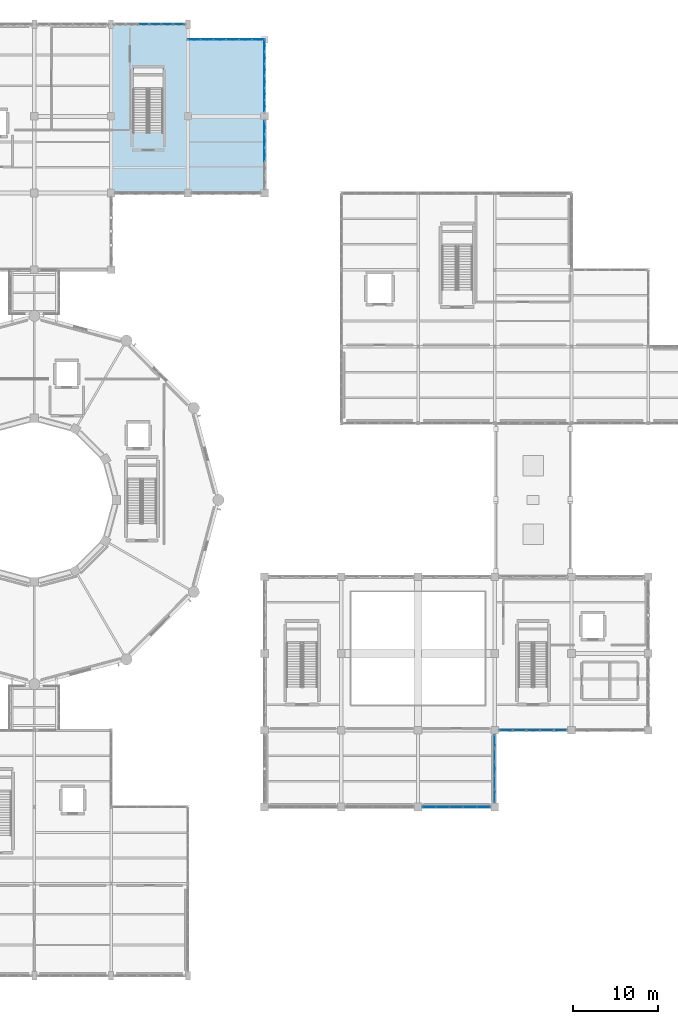
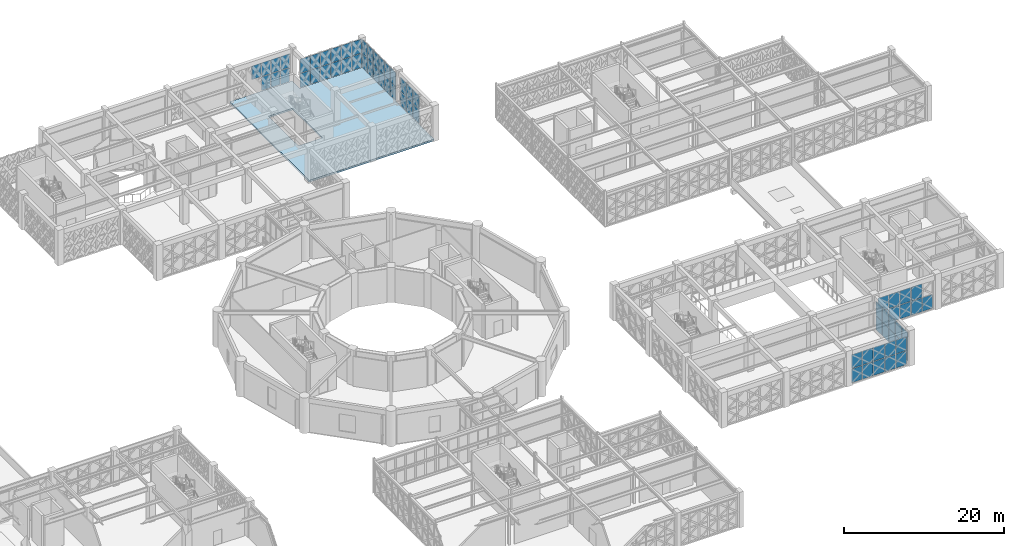
# One storey, part 127 of 155: 66 plates, 1 slab, 7 elements without a shape of their own.
"""IFC4 building model written with IfcOpenShell, lengths in metres."""

from ifc_helpers import new_model, si_unit, direction, frame, origin, origin_2d, place, context, subcontext, project, spatial, polyline, rectangle, outline, extrude, material, layer, layer_set, type_object, element, aggregate, save


model = new_model("IFC4")

# Units and contexts
model_context = context("Model", 3, precision=1e-05, world=origin(), true_north=direction((0.0, 1.0)))
body_context = subcontext(model_context, "Body", "Model", "MODEL_VIEW")
ifc_project = project(units=[si_unit("LENGTHUNIT", "METRE"), si_unit("AREAUNIT", "SQUARE_METRE"), si_unit("VOLUMEUNIT", "CUBIC_METRE"), si_unit("PLANEANGLEUNIT", "RADIAN"), si_unit("MASSUNIT", "GRAM", prefix="KILO")], contexts=[model_context])

# Site, building, storey
site_placement = place(None, origin())
site = spatial("IfcSite", under=ifc_project, at=site_placement, CompositionType="ELEMENT")
building_placement = place(site_placement, origin())
building = spatial("IfcBuilding", under=site, at=building_placement, Name="Haizhuo Lancet Aquarium", CompositionType="ELEMENT")
storey_placement = place(building_placement, frame((0.0, 0.0, 10.800048828125)))
storey = spatial("IfcBuildingStorey", under=building, at=storey_placement, Name="L02", CompositionType="ELEMENT", Elevation=10.800048828125)

# Curtain wall, plates
ifc_material_1 = material(Name="Aluminium 6063-T6", Category="aluminium")
curtain_wall_type_1 = type_object("IfcCurtainWallType", Name="CWO-8010x4410", PredefinedType="NOTDEFINED", material=ifc_material_1)
curtain_wall_1_placement = place(storey_placement, origin())
curtain_wall_1 = element("IfcCurtainWall", 1, at=curtain_wall_1_placement, inside=storey, type_object=curtain_wall_type_1, Name="L02 curtain wall CW-V3-L02-061", PredefinedType="NOTDEFINED")
ifc_material_2 = material(Name="Laminated Low-E Glass", Category="glass")
ifc_layer_1 = layer(ifc_material_2, 0.028076171875)
ifc_layer_set_1 = layer_set([ifc_layer_1], Name="Laminated Low-E Glass")
plate_type_1 = type_object("IfcPlateType", Name="CW-PNL-1", PredefinedType="CURTAIN_PANEL", material=ifc_layer_set_1)
plate_1_placement = place(storey_placement, frame((52.68798828125, -36.0, 0.0654296875), z_axis=(0.0, 0.0, 1.0), x_axis=(-1.0, 0.0, 0.0)))
plate_1 = element("IfcPlate", 2, at=plate_1_placement, type_object=plate_type_1, Name="CWO-80x44 panel 1.1", PredefinedType="CURTAIN_PANEL", context=body_context, shape_type="SweptSolid", body=[
    extrude(rectangle(XDim=1.5048828125, YDim=0.028076171875, at=origin_2d()), origin(), (0.0, 0.0, 1.0), 2.10693359375),
])
plate_2_placement = place(storey_placement, frame((52.68798828125, -36.0, 2.237548828125), z_axis=(0.0, 0.0, 1.0), x_axis=(-1.0, 0.0, 0.0)))
plate_2 = element("IfcPlate", 3, at=plate_2_placement, type_object=plate_type_1, Name="CWO-80x44 panel 1.2", PredefinedType="CURTAIN_PANEL", context=body_context, shape_type="SweptSolid", body=[
    extrude(rectangle(XDim=1.5048828125, YDim=0.028076171875, at=origin_2d()), origin(), (0.0, 0.0, 1.0), 2.10693359375),
])
plate_3_placement = place(storey_placement, frame((51.10205078125, -36.0, 0.0654296875), z_axis=(0.0, 0.0, 1.0), x_axis=(-1.0, 0.0, 0.0)))
plate_3 = element("IfcPlate", 4, at=plate_3_placement, type_object=plate_type_1, Name="CWO-80x44 panel 2.1", PredefinedType="CURTAIN_PANEL", context=body_context, shape_type="SweptSolid", body=[
    extrude(rectangle(XDim=1.537109375, YDim=0.028076171875, at=origin_2d()), origin(), (0.0, 0.0, 1.0), 2.10693359375),
])
plate_4_placement = place(storey_placement, frame((51.10205078125, -36.0, 2.237548828125), z_axis=(0.0, 0.0, 1.0), x_axis=(-1.0, 0.0, 0.0)))
plate_4 = element("IfcPlate", 5, at=plate_4_placement, type_object=plate_type_1, Name="CWO-80x44 panel 2.2", PredefinedType="CURTAIN_PANEL", context=body_context, shape_type="SweptSolid", body=[
    extrude(rectangle(XDim=1.537109375, YDim=0.028076171875, at=origin_2d()), origin(), (0.0, 0.0, 1.0), 2.10693359375),
])
plate_5_placement = place(storey_placement, frame((49.5, -36.0, 0.0654296875), z_axis=(0.0, 0.0, 1.0), x_axis=(-1.0, 0.0, 0.0)))
plate_5 = element("IfcPlate", 6, at=plate_5_placement, type_object=plate_type_1, Name="CWO-80x44 panel 3.1", PredefinedType="CURTAIN_PANEL", context=body_context, shape_type="SweptSolid", body=[
    extrude(rectangle(XDim=1.537109375, YDim=0.028076171875, at=origin_2d()), origin(), (0.0, 0.0, 1.0), 2.10693359375),
])
plate_6_placement = place(storey_placement, frame((49.5, -36.0, 2.237548828125), z_axis=(0.0, 0.0, 1.0), x_axis=(-1.0, 0.0, 0.0)))
plate_6 = element("IfcPlate", 7, at=plate_6_placement, type_object=plate_type_1, Name="CWO-80x44 panel 3.2", PredefinedType="CURTAIN_PANEL", context=body_context, shape_type="SweptSolid", body=[
    extrude(rectangle(XDim=1.537109375, YDim=0.028076171875, at=origin_2d()), origin(), (0.0, 0.0, 1.0), 2.10693359375),
])
plate_7_placement = place(storey_placement, frame((47.89794921875, -36.0, 0.0654296875), z_axis=(0.0, 0.0, 1.0), x_axis=(-1.0, 0.0, 0.0)))
plate_7 = element("IfcPlate", 8, at=plate_7_placement, type_object=plate_type_1, Name="CWO-80x44 panel 4.1", PredefinedType="CURTAIN_PANEL", context=body_context, shape_type="SweptSolid", body=[
    extrude(rectangle(XDim=1.537109375, YDim=0.028076171875, at=origin_2d()), origin(), (0.0, 0.0, 1.0), 2.10693359375),
])
plate_8_placement = place(storey_placement, frame((47.89794921875, -36.0, 2.237548828125), z_axis=(0.0, 0.0, 1.0), x_axis=(-1.0, 0.0, 0.0)))
plate_8 = element("IfcPlate", 9, at=plate_8_placement, type_object=plate_type_1, Name="CWO-80x44 panel 4.2", PredefinedType="CURTAIN_PANEL", context=body_context, shape_type="SweptSolid", body=[
    extrude(rectangle(XDim=1.537109375, YDim=0.028076171875, at=origin_2d()), origin(), (0.0, 0.0, 1.0), 2.10693359375),
])
plate_9_placement = place(storey_placement, frame((46.31201171875, -36.0, 0.0654296875), z_axis=(0.0, 0.0, 1.0), x_axis=(-1.0, 0.0, 0.0)))
plate_9 = element("IfcPlate", 10, at=plate_9_placement, type_object=plate_type_1, Name="CWO-80x44 panel 5.1", PredefinedType="CURTAIN_PANEL", context=body_context, shape_type="SweptSolid", body=[
    extrude(rectangle(XDim=1.5048828125, YDim=0.028076171875, at=origin_2d()), origin(), (0.0, 0.0, 1.0), 2.10693359375),
])
plate_10_placement = place(storey_placement, frame((46.31201171875, -36.0, 2.237548828125), z_axis=(0.0, 0.0, 1.0), x_axis=(-1.0, 0.0, 0.0)))
plate_10 = element("IfcPlate", 11, at=plate_10_placement, type_object=plate_type_1, Name="CWO-80x44 panel 5.2", PredefinedType="CURTAIN_PANEL", context=body_context, shape_type="SweptSolid", body=[
    extrude(rectangle(XDim=1.5048828125, YDim=0.028076171875, at=origin_2d()), origin(), (0.0, 0.0, 1.0), 2.10693359375),
])
aggregate(curtain_wall_1, [plate_1, plate_2, plate_3, plate_4, plate_5, plate_6, plate_7, plate_8, plate_9, plate_10])

curtain_wall_type_2 = type_object("IfcCurtainWallType", Name="CWD-8010x4460", PredefinedType="NOTDEFINED", material=ifc_material_1)
curtain_wall_2_placement = place(storey_placement, origin())
curtain_wall_2 = element("IfcCurtainWall", 12, at=curtain_wall_2_placement, inside=storey, type_object=curtain_wall_type_2, Name="L02 curtain wall CW-V5-L02-153", PredefinedType="NOTDEFINED")
plate_11_placement = place(storey_placement, frame((27.0, 43.68408203125, 0.080078125), z_axis=(0.0, 0.0, 1.0), x_axis=(0.0, -1.0, 0.0)))
plate_11 = element("IfcPlate", 13, at=plate_11_placement, type_object=plate_type_1, Name="CWD-80x44 panel 1.1", PredefinedType="CURTAIN_PANEL", context=body_context, shape_type="SweptSolid", body=[
    extrude(rectangle(XDim=1.48193359375, YDim=0.028076171875, at=origin_2d()), origin(), (0.0, 0.0, 1.0), 2.110107421875),
])
plate_12_placement = place(storey_placement, frame((27.0, 43.68408203125, 2.27001953125), z_axis=(0.0, 0.0, 1.0), x_axis=(0.0, -1.0, 0.0)))
plate_12 = element("IfcPlate", 14, at=plate_12_placement, type_object=plate_type_1, Name="CWD-80x44 panel 1.2", PredefinedType="CURTAIN_PANEL", context=body_context, shape_type="SweptSolid", body=[
    extrude(rectangle(XDim=1.48193359375, YDim=0.028076171875, at=origin_2d()), origin(), (0.0, 0.0, 1.0), 2.110107421875),
])
plate_13_placement = place(storey_placement, frame((27.0, 42.10205078125, 0.080078125), z_axis=(0.0, 0.0, 1.0), x_axis=(0.0, -1.0, 0.0)))
plate_13 = element("IfcPlate", 15, at=plate_13_placement, type_object=plate_type_1, Name="CWD-80x44 panel 2.1", PredefinedType="CURTAIN_PANEL", context=body_context, shape_type="SweptSolid", body=[
    extrude(rectangle(XDim=1.52197265625, YDim=0.028076171875, at=origin_2d()), origin(), (0.0, 0.0, 1.0), 2.110107421875),
])
plate_14_placement = place(storey_placement, frame((27.0, 42.10205078125, 2.27001953125), z_axis=(0.0, 0.0, 1.0), x_axis=(0.0, -1.0, 0.0)))
plate_14 = element("IfcPlate", 16, at=plate_14_placement, type_object=plate_type_1, Name="CWD-80x44 panel 2.2", PredefinedType="CURTAIN_PANEL", context=body_context, shape_type="SweptSolid", body=[
    extrude(rectangle(XDim=1.52197265625, YDim=0.028076171875, at=origin_2d()), origin(), (0.0, 0.0, 1.0), 2.110107421875),
])
plate_15_placement = place(storey_placement, frame((27.0, 40.5, 0.080078125), z_axis=(0.0, 0.0, 1.0), x_axis=(0.0, -1.0, 0.0)))
plate_15 = element("IfcPlate", 17, at=plate_15_placement, type_object=plate_type_1, Name="CWD-80x44 panel 3.1", PredefinedType="CURTAIN_PANEL", context=body_context, shape_type="SweptSolid", body=[
    extrude(rectangle(XDim=1.52197265625, YDim=0.028076171875, at=origin_2d()), origin(), (0.0, 0.0, 1.0), 2.110107421875),
])
plate_16_placement = place(storey_placement, frame((27.0, 40.5, 2.27001953125), z_axis=(0.0, 0.0, 1.0), x_axis=(0.0, -1.0, 0.0)))
plate_16 = element("IfcPlate", 18, at=plate_16_placement, type_object=plate_type_1, Name="CWD-80x44 panel 3.2", PredefinedType="CURTAIN_PANEL", context=body_context, shape_type="SweptSolid", body=[
    extrude(rectangle(XDim=1.52197265625, YDim=0.028076171875, at=origin_2d()), origin(), (0.0, 0.0, 1.0), 2.110107421875),
])
aggregate(curtain_wall_2, [plate_11, plate_12, plate_13, plate_14, plate_15, plate_16])

curtain_wall_type_3 = type_object("IfcCurtainWallType", Name="CWD-8310x4410", PredefinedType="NOTDEFINED", material=ifc_material_1)
curtain_wall_3_placement = place(storey_placement, origin())
curtain_wall_3 = element("IfcCurtainWall", 19, at=curtain_wall_3_placement, inside=storey, type_object=curtain_wall_type_3, Name="L02 curtain wall CW-V5-L02-150", PredefinedType="NOTDEFINED")
ifc_layer_2 = layer(ifc_material_2, 0.033935546875)
ifc_layer_set_2 = layer_set([ifc_layer_2], Name="Laminated Low-E Glass")
plate_type_2 = type_object("IfcPlateType", Name="CW-PNL-2", PredefinedType="CURTAIN_PANEL", material=ifc_layer_set_2)
plate_17_placement = place(storey_placement, frame((12.80810546875, 55.800048828125, 2.245361328125), z_axis=(0.0, 0.0, 1.0), x_axis=(1.0, 0.0, 0.0)))
plate_17 = element("IfcPlate", 20, at=plate_17_placement, type_object=plate_type_2, Name="CWD-83x44 panel 3.2", PredefinedType="CURTAIN_PANEL", context=body_context, shape_type="SweptSolid", body=[
    extrude(rectangle(XDim=1.304931640625, YDim=0.033935546875, at=origin_2d()), origin(), (0.0, 0.0, 1.0), 2.0849609375),
])
plate_18_placement = place(storey_placement, frame((14.193115234375, 55.800048828125, 0.07958984375), z_axis=(0.0, 0.0, 1.0), x_axis=(1.0, 0.0, 0.0)))
plate_18 = element("IfcPlate", 21, at=plate_18_placement, type_object=plate_type_2, Name="CWD-83x44 panel 4.1", PredefinedType="CURTAIN_PANEL", context=body_context, shape_type="SweptSolid", body=[
    extrude(rectangle(XDim=1.304931640625, YDim=0.033935546875, at=origin_2d()), origin(), (0.0, 0.0, 1.0), 2.0849609375),
])
plate_19_placement = place(storey_placement, frame((14.193115234375, 55.800048828125, 2.245361328125), z_axis=(0.0, 0.0, 1.0), x_axis=(1.0, 0.0, 0.0)))
plate_19 = element("IfcPlate", 22, at=plate_19_placement, type_object=plate_type_2, Name="CWD-83x44 panel 4.2", PredefinedType="CURTAIN_PANEL", context=body_context, shape_type="SweptSolid", body=[
    extrude(rectangle(XDim=1.304931640625, YDim=0.033935546875, at=origin_2d()), origin(), (0.0, 0.0, 1.0), 2.0849609375),
])
plate_20_placement = place(storey_placement, frame((15.577880859375, 55.800048828125, 0.07958984375), z_axis=(0.0, 0.0, 1.0), x_axis=(1.0, 0.0, 0.0)))
plate_20 = element("IfcPlate", 23, at=plate_20_placement, type_object=plate_type_2, Name="CWD-83x44 panel 5.1", PredefinedType="CURTAIN_PANEL", context=body_context, shape_type="SweptSolid", body=[
    extrude(rectangle(XDim=1.304931640625, YDim=0.033935546875, at=origin_2d()), origin(), (0.0, 0.0, 1.0), 2.0849609375),
])
plate_21_placement = place(storey_placement, frame((15.577880859375, 55.800048828125, 2.245361328125), z_axis=(0.0, 0.0, 1.0), x_axis=(1.0, 0.0, 0.0)))
plate_21 = element("IfcPlate", 24, at=plate_21_placement, type_object=plate_type_2, Name="CWD-83x44 panel 5.2", PredefinedType="CURTAIN_PANEL", context=body_context, shape_type="SweptSolid", body=[
    extrude(rectangle(XDim=1.304931640625, YDim=0.033935546875, at=origin_2d()), origin(), (0.0, 0.0, 1.0), 2.0849609375),
])
plate_22_placement = place(storey_placement, frame((16.943115234375, 55.800048828125, 0.07958984375), z_axis=(0.0, 0.0, 1.0), x_axis=(1.0, 0.0, 0.0)))
plate_22 = element("IfcPlate", 25, at=plate_22_placement, type_object=plate_type_2, Name="CWD-83x44 panel 6.1", PredefinedType="CURTAIN_PANEL", context=body_context, shape_type="SweptSolid", body=[
    extrude(rectangle(XDim=1.264892578125, YDim=0.033935546875, at=origin_2d()), origin(), (0.0, 0.0, 1.0), 2.0849609375),
])
plate_23_placement = place(storey_placement, frame((16.943115234375, 55.800048828125, 2.245361328125), z_axis=(0.0, 0.0, 1.0), x_axis=(1.0, 0.0, 0.0)))
plate_23 = element("IfcPlate", 26, at=plate_23_placement, type_object=plate_type_2, Name="CWD-83x44 panel 6.2", PredefinedType="CURTAIN_PANEL", context=body_context, shape_type="SweptSolid", body=[
    extrude(rectangle(XDim=1.264892578125, YDim=0.033935546875, at=origin_2d()), origin(), (0.0, 0.0, 1.0), 2.0849609375),
])
aggregate(curtain_wall_3, [plate_17, plate_18, plate_19, plate_20, plate_21, plate_22, plate_23])

curtain_wall_4_placement = place(storey_placement, origin())
curtain_wall_4 = element("IfcCurtainWall", 27, at=curtain_wall_4_placement, inside=storey, type_object=curtain_wall_type_1, Name="L02 curtain wall CW-V3-L02-059", PredefinedType="NOTDEFINED")
ifc_layer_3 = layer(ifc_material_2, 0.0419921875)
ifc_layer_set_3 = layer_set([ifc_layer_3], Name="Laminated Low-E Glass")
plate_type_3 = type_object("IfcPlateType", Name="CW-PNL-3", PredefinedType="CURTAIN_PANEL", material=ifc_layer_set_3)
plate_24_placement = place(storey_placement, frame((61.68505859375, -27.0, 0.07421875), z_axis=(0.0, 0.0, 1.0), x_axis=(-1.0, 0.0, 0.0)))
plate_24 = element("IfcPlate", 28, at=plate_24_placement, type_object=plate_type_3, Name="CWO-80x44 panel 1.1", PredefinedType="CURTAIN_PANEL", context=body_context, shape_type="SweptSolid", body=[
    extrude(rectangle(XDim=1.489990234375, YDim=0.0419921875, at=origin_2d()), origin(), (0.0, 0.0, 1.0), 2.093017578125),
])
plate_25_placement = place(storey_placement, frame((60.10205078125, -27.0, 0.07421875), z_axis=(0.0, 0.0, 1.0), x_axis=(-1.0, 0.0, 0.0)))
plate_25 = element("IfcPlate", 29, at=plate_25_placement, type_object=plate_type_3, Name="CWO-80x44 panel 2.1", PredefinedType="CURTAIN_PANEL", context=body_context, shape_type="SweptSolid", body=[
    extrude(rectangle(XDim=1.527099609375, YDim=0.0419921875, at=origin_2d()), origin(), (0.0, 0.0, 1.0), 2.093017578125),
])
plate_26_placement = place(storey_placement, frame((60.10205078125, -27.0, 2.24267578125), z_axis=(0.0, 0.0, 1.0), x_axis=(-1.0, 0.0, 0.0)))
plate_26 = element("IfcPlate", 30, at=plate_26_placement, type_object=plate_type_3, Name="CWO-80x44 panel 2.2", PredefinedType="CURTAIN_PANEL", context=body_context, shape_type="SweptSolid", body=[
    extrude(rectangle(XDim=1.527099609375, YDim=0.0419921875, at=origin_2d()), origin(), (0.0, 0.0, 1.0), 2.093017578125),
])
plate_27_placement = place(storey_placement, frame((58.5, -27.0, 0.07421875), z_axis=(0.0, 0.0, 1.0), x_axis=(-1.0, 0.0, 0.0)))
plate_27 = element("IfcPlate", 31, at=plate_27_placement, type_object=plate_type_3, Name="CWO-80x44 panel 3.1", PredefinedType="CURTAIN_PANEL", context=body_context, shape_type="SweptSolid", body=[
    extrude(rectangle(XDim=1.527099609375, YDim=0.0419921875, at=origin_2d()), origin(), (0.0, 0.0, 1.0), 2.093017578125),
])
plate_28_placement = place(storey_placement, frame((58.5, -27.0, 2.24267578125), z_axis=(0.0, 0.0, 1.0), x_axis=(-1.0, 0.0, 0.0)))
plate_28 = element("IfcPlate", 32, at=plate_28_placement, type_object=plate_type_3, Name="CWO-80x44 panel 3.2", PredefinedType="CURTAIN_PANEL", context=body_context, shape_type="SweptSolid", body=[
    extrude(rectangle(XDim=1.527099609375, YDim=0.0419921875, at=origin_2d()), origin(), (0.0, 0.0, 1.0), 2.093017578125),
])
plate_29_placement = place(storey_placement, frame((56.89794921875, -27.0, 0.07421875), z_axis=(0.0, 0.0, 1.0), x_axis=(-1.0, 0.0, 0.0)))
plate_29 = element("IfcPlate", 33, at=plate_29_placement, type_object=plate_type_3, Name="CWO-80x44 panel 4.1", PredefinedType="CURTAIN_PANEL", context=body_context, shape_type="SweptSolid", body=[
    extrude(rectangle(XDim=1.527099609375, YDim=0.0419921875, at=origin_2d()), origin(), (0.0, 0.0, 1.0), 2.093017578125),
])
plate_30_placement = place(storey_placement, frame((56.89794921875, -27.0, 2.24267578125), z_axis=(0.0, 0.0, 1.0), x_axis=(-1.0, 0.0, 0.0)))
plate_30 = element("IfcPlate", 34, at=plate_30_placement, type_object=plate_type_3, Name="CWO-80x44 panel 4.2", PredefinedType="CURTAIN_PANEL", context=body_context, shape_type="SweptSolid", body=[
    extrude(rectangle(XDim=1.527099609375, YDim=0.0419921875, at=origin_2d()), origin(), (0.0, 0.0, 1.0), 2.093017578125),
])
plate_31_placement = place(storey_placement, frame((55.31494140625, -27.0, 0.07421875), z_axis=(0.0, 0.0, 1.0), x_axis=(-1.0, 0.0, 0.0)))
plate_31 = element("IfcPlate", 35, at=plate_31_placement, type_object=plate_type_3, Name="CWO-80x44 panel 5.1", PredefinedType="CURTAIN_PANEL", context=body_context, shape_type="SweptSolid", body=[
    extrude(rectangle(XDim=1.489990234375, YDim=0.0419921875, at=origin_2d()), origin(), (0.0, 0.0, 1.0), 2.093017578125),
])
plate_32_placement = place(storey_placement, frame((55.31494140625, -27.0, 2.24267578125), z_axis=(0.0, 0.0, 1.0), x_axis=(-1.0, 0.0, 0.0)))
plate_32 = element("IfcPlate", 36, at=plate_32_placement, type_object=plate_type_3, Name="CWO-80x44 panel 5.2", PredefinedType="CURTAIN_PANEL", context=body_context, shape_type="SweptSolid", body=[
    extrude(rectangle(XDim=1.489990234375, YDim=0.0419921875, at=origin_2d()), origin(), (0.0, 0.0, 1.0), 2.093017578125),
])
aggregate(curtain_wall_4, [plate_24, plate_25, plate_26, plate_27, plate_28, plate_29, plate_30, plate_31, plate_32])

curtain_wall_type_4 = type_object("IfcCurtainWallType", Name="CWD-9000x4440", PredefinedType="NOTDEFINED", material=ifc_material_1)
curtain_wall_5_placement = place(storey_placement, origin())
curtain_wall_5 = element("IfcCurtainWall", 37, at=curtain_wall_5_placement, inside=storey, type_object=curtain_wall_type_4, Name="L02 curtain wall CW-V5-L02-151", PredefinedType="NOTDEFINED")
plate_33_placement = place(storey_placement, frame((18.76611328125, 54.0, 0.0654296875), z_axis=(0.0, 0.0, 1.0), x_axis=(1.0, 0.0, 0.0)))
plate_33 = element("IfcPlate", 38, at=plate_33_placement, type_object=plate_type_3, Name="CWD-90x44 panel 1.1", PredefinedType="CURTAIN_PANEL", context=body_context, shape_type="SweptSolid", body=[
    extrude(rectangle(XDim=1.403076171875, YDim=0.0419921875, at=origin_2d()), origin(), (0.0, 0.0, 1.0), 2.125),
])
plate_34_placement = place(storey_placement, frame((18.76611328125, 54.0, 2.255859375), z_axis=(0.0, 0.0, 1.0), x_axis=(1.0, 0.0, 0.0)))
plate_34 = element("IfcPlate", 39, at=plate_34_placement, type_object=plate_type_3, Name="CWD-90x44 panel 1.2", PredefinedType="CURTAIN_PANEL", context=body_context, shape_type="SweptSolid", body=[
    extrude(rectangle(XDim=1.403076171875, YDim=0.0419921875, at=origin_2d()), origin(), (0.0, 0.0, 1.0), 2.1240234375),
])
plate_35_placement = place(storey_placement, frame((20.25, 54.0, 0.0654296875), z_axis=(0.0, 0.0, 1.0), x_axis=(1.0, 0.0, 0.0)))
plate_35 = element("IfcPlate", 40, at=plate_35_placement, type_object=plate_type_3, Name="CWD-90x44 panel 2.1", PredefinedType="CURTAIN_PANEL", context=body_context, shape_type="SweptSolid", body=[
    extrude(rectangle(XDim=1.43505859375, YDim=0.0419921875, at=origin_2d()), origin(), (0.0, 0.0, 1.0), 2.125),
])
plate_36_placement = place(storey_placement, frame((20.25, 54.0, 2.255859375), z_axis=(0.0, 0.0, 1.0), x_axis=(1.0, 0.0, 0.0)))
plate_36 = element("IfcPlate", 41, at=plate_36_placement, type_object=plate_type_3, Name="CWD-90x44 panel 2.2", PredefinedType="CURTAIN_PANEL", context=body_context, shape_type="SweptSolid", body=[
    extrude(rectangle(XDim=1.43505859375, YDim=0.0419921875, at=origin_2d()), origin(), (0.0, 0.0, 1.0), 2.1240234375),
])
plate_37_placement = place(storey_placement, frame((21.75, 54.0, 0.0654296875), z_axis=(0.0, 0.0, 1.0), x_axis=(1.0, 0.0, 0.0)))
plate_37 = element("IfcPlate", 42, at=plate_37_placement, type_object=plate_type_3, Name="CWD-90x44 panel 3.1", PredefinedType="CURTAIN_PANEL", context=body_context, shape_type="SweptSolid", body=[
    extrude(rectangle(XDim=1.43505859375, YDim=0.0419921875, at=origin_2d()), origin(), (0.0, 0.0, 1.0), 2.125),
])
plate_38_placement = place(storey_placement, frame((21.75, 54.0, 2.255859375), z_axis=(0.0, 0.0, 1.0), x_axis=(1.0, 0.0, 0.0)))
plate_38 = element("IfcPlate", 43, at=plate_38_placement, type_object=plate_type_3, Name="CWD-90x44 panel 3.2", PredefinedType="CURTAIN_PANEL", context=body_context, shape_type="SweptSolid", body=[
    extrude(rectangle(XDim=1.43505859375, YDim=0.0419921875, at=origin_2d()), origin(), (0.0, 0.0, 1.0), 2.1240234375),
])
plate_39_placement = place(storey_placement, frame((23.25, 54.0, 0.0654296875), z_axis=(0.0, 0.0, 1.0), x_axis=(1.0, 0.0, 0.0)))
plate_39 = element("IfcPlate", 44, at=plate_39_placement, type_object=plate_type_3, Name="CWD-90x44 panel 4.1", PredefinedType="CURTAIN_PANEL", context=body_context, shape_type="SweptSolid", body=[
    extrude(rectangle(XDim=1.43505859375, YDim=0.0419921875, at=origin_2d()), origin(), (0.0, 0.0, 1.0), 2.125),
])
plate_40_placement = place(storey_placement, frame((23.25, 54.0, 2.255859375), z_axis=(0.0, 0.0, 1.0), x_axis=(1.0, 0.0, 0.0)))
plate_40 = element("IfcPlate", 45, at=plate_40_placement, type_object=plate_type_3, Name="CWD-90x44 panel 4.2", PredefinedType="CURTAIN_PANEL", context=body_context, shape_type="SweptSolid", body=[
    extrude(rectangle(XDim=1.43505859375, YDim=0.0419921875, at=origin_2d()), origin(), (0.0, 0.0, 1.0), 2.1240234375),
])
plate_41_placement = place(storey_placement, frame((24.75, 54.0, 0.0654296875), z_axis=(0.0, 0.0, 1.0), x_axis=(1.0, 0.0, 0.0)))
plate_41 = element("IfcPlate", 46, at=plate_41_placement, type_object=plate_type_3, Name="CWD-90x44 panel 5.1", PredefinedType="CURTAIN_PANEL", context=body_context, shape_type="SweptSolid", body=[
    extrude(rectangle(XDim=1.43505859375, YDim=0.0419921875, at=origin_2d()), origin(), (0.0, 0.0, 1.0), 2.125),
])
plate_42_placement = place(storey_placement, frame((24.75, 54.0, 2.255859375), z_axis=(0.0, 0.0, 1.0), x_axis=(1.0, 0.0, 0.0)))
plate_42 = element("IfcPlate", 47, at=plate_42_placement, type_object=plate_type_3, Name="CWD-90x44 panel 5.2", PredefinedType="CURTAIN_PANEL", context=body_context, shape_type="SweptSolid", body=[
    extrude(rectangle(XDim=1.43505859375, YDim=0.0419921875, at=origin_2d()), origin(), (0.0, 0.0, 1.0), 2.1240234375),
])
plate_43_placement = place(storey_placement, frame((26.23388671875, 54.0, 0.0654296875), z_axis=(0.0, 0.0, 1.0), x_axis=(1.0, 0.0, 0.0)))
plate_43 = element("IfcPlate", 48, at=plate_43_placement, type_object=plate_type_3, Name="CWD-90x44 panel 6.1", PredefinedType="CURTAIN_PANEL", context=body_context, shape_type="SweptSolid", body=[
    extrude(rectangle(XDim=1.402099609375, YDim=0.0419921875, at=origin_2d()), origin(), (0.0, 0.0, 1.0), 2.125),
])
plate_44_placement = place(storey_placement, frame((26.23388671875, 54.0, 2.255859375), z_axis=(0.0, 0.0, 1.0), x_axis=(1.0, 0.0, 0.0)))
plate_44 = element("IfcPlate", 49, at=plate_44_placement, type_object=plate_type_3, Name="CWD-90x44 panel 6.2", PredefinedType="CURTAIN_PANEL", context=body_context, shape_type="SweptSolid", body=[
    extrude(rectangle(XDim=1.402099609375, YDim=0.0419921875, at=origin_2d()), origin(), (0.0, 0.0, 1.0), 2.1240234375),
])
aggregate(curtain_wall_5, [plate_33, plate_34, plate_35, plate_36, plate_37, plate_38, plate_39, plate_40, plate_41, plate_42, plate_43, plate_44])

curtain_wall_type_5 = type_object("IfcCurtainWallType", Name="CWO-8010x4460", PredefinedType="NOTDEFINED", material=ifc_material_1)
curtain_wall_6_placement = place(storey_placement, origin())
curtain_wall_6 = element("IfcCurtainWall", 50, at=curtain_wall_6_placement, inside=storey, type_object=curtain_wall_type_5, Name="L02 curtain wall CW-V3-L02-060", PredefinedType="NOTDEFINED")
ifc_layer_4 = layer(ifc_material_2, 0.052001953125)
ifc_layer_set_4 = layer_set([ifc_layer_4], Name="Laminated Low-E Glass")
plate_type_4 = type_object("IfcPlateType", Name="CW-PNL-4", PredefinedType="CURTAIN_PANEL", material=ifc_layer_set_4)
plate_45_placement = place(storey_placement, frame((54.0, -28.31591796875, 0.080078125), z_axis=(0.0, 0.0, 1.0), x_axis=(0.0, -1.0, 0.0)))
plate_45 = element("IfcPlate", 51, at=plate_45_placement, type_object=plate_type_4, Name="CWO-80x44 panel 1.1", PredefinedType="CURTAIN_PANEL", context=body_context, shape_type="SweptSolid", body=[
    extrude(rectangle(XDim=1.48193359375, YDim=0.052001953125, at=origin_2d()), origin(), (0.0, 0.0, 1.0), 2.110107421875),
])
plate_46_placement = place(storey_placement, frame((54.0, -28.31591796875, 2.27001953125), z_axis=(0.0, 0.0, 1.0), x_axis=(0.0, -1.0, 0.0)))
plate_46 = element("IfcPlate", 52, at=plate_46_placement, type_object=plate_type_4, Name="CWO-80x44 panel 1.2", PredefinedType="CURTAIN_PANEL", context=body_context, shape_type="SweptSolid", body=[
    extrude(rectangle(XDim=1.48193359375, YDim=0.052001953125, at=origin_2d()), origin(), (0.0, 0.0, 1.0), 2.110107421875),
])
plate_47_placement = place(storey_placement, frame((54.0, -29.89794921875, 0.080078125), z_axis=(0.0, 0.0, 1.0), x_axis=(0.0, -1.0, 0.0)))
plate_47 = element("IfcPlate", 53, at=plate_47_placement, type_object=plate_type_4, Name="CWO-80x44 panel 2.1", PredefinedType="CURTAIN_PANEL", context=body_context, shape_type="SweptSolid", body=[
    extrude(rectangle(XDim=1.52197265625, YDim=0.052001953125, at=origin_2d()), origin(), (0.0, 0.0, 1.0), 2.110107421875),
])
plate_48_placement = place(storey_placement, frame((54.0, -29.89794921875, 2.27001953125), z_axis=(0.0, 0.0, 1.0), x_axis=(0.0, -1.0, 0.0)))
plate_48 = element("IfcPlate", 54, at=plate_48_placement, type_object=plate_type_4, Name="CWO-80x44 panel 2.2", PredefinedType="CURTAIN_PANEL", context=body_context, shape_type="SweptSolid", body=[
    extrude(rectangle(XDim=1.52197265625, YDim=0.052001953125, at=origin_2d()), origin(), (0.0, 0.0, 1.0), 2.110107421875),
])
plate_49_placement = place(storey_placement, frame((54.0, -31.5, 0.080078125), z_axis=(0.0, 0.0, 1.0), x_axis=(0.0, -1.0, 0.0)))
plate_49 = element("IfcPlate", 55, at=plate_49_placement, type_object=plate_type_4, Name="CWO-80x44 panel 3.1", PredefinedType="CURTAIN_PANEL", context=body_context, shape_type="SweptSolid", body=[
    extrude(rectangle(XDim=1.52197265625, YDim=0.052001953125, at=origin_2d()), origin(), (0.0, 0.0, 1.0), 2.110107421875),
])
plate_50_placement = place(storey_placement, frame((54.0, -31.5, 2.27001953125), z_axis=(0.0, 0.0, 1.0), x_axis=(0.0, -1.0, 0.0)))
plate_50 = element("IfcPlate", 56, at=plate_50_placement, type_object=plate_type_4, Name="CWO-80x44 panel 3.2", PredefinedType="CURTAIN_PANEL", context=body_context, shape_type="SweptSolid", body=[
    extrude(rectangle(XDim=1.52197265625, YDim=0.052001953125, at=origin_2d()), origin(), (0.0, 0.0, 1.0), 2.110107421875),
])
plate_51_placement = place(storey_placement, frame((54.0, -33.10205078125, 0.080078125), z_axis=(0.0, 0.0, 1.0), x_axis=(0.0, -1.0, 0.0)))
plate_51 = element("IfcPlate", 57, at=plate_51_placement, type_object=plate_type_4, Name="CWO-80x44 panel 4.1", PredefinedType="CURTAIN_PANEL", context=body_context, shape_type="SweptSolid", body=[
    extrude(rectangle(XDim=1.52197265625, YDim=0.052001953125, at=origin_2d()), origin(), (0.0, 0.0, 1.0), 2.110107421875),
])
plate_52_placement = place(storey_placement, frame((54.0, -33.10205078125, 2.27001953125), z_axis=(0.0, 0.0, 1.0), x_axis=(0.0, -1.0, 0.0)))
plate_52 = element("IfcPlate", 58, at=plate_52_placement, type_object=plate_type_4, Name="CWO-80x44 panel 4.2", PredefinedType="CURTAIN_PANEL", context=body_context, shape_type="SweptSolid", body=[
    extrude(rectangle(XDim=1.52197265625, YDim=0.052001953125, at=origin_2d()), origin(), (0.0, 0.0, 1.0), 2.110107421875),
])
plate_53_placement = place(storey_placement, frame((54.0, -34.68408203125, 0.080078125), z_axis=(0.0, 0.0, 1.0), x_axis=(0.0, -1.0, 0.0)))
plate_53 = element("IfcPlate", 59, at=plate_53_placement, type_object=plate_type_4, Name="CWO-80x44 panel 5.1", PredefinedType="CURTAIN_PANEL", context=body_context, shape_type="SweptSolid", body=[
    extrude(rectangle(XDim=1.48193359375, YDim=0.052001953125, at=origin_2d()), origin(), (0.0, 0.0, 1.0), 2.110107421875),
])
plate_54_placement = place(storey_placement, frame((54.0, -34.68408203125, 2.27001953125), z_axis=(0.0, 0.0, 1.0), x_axis=(0.0, -1.0, 0.0)))
plate_54 = element("IfcPlate", 60, at=plate_54_placement, type_object=plate_type_4, Name="CWO-80x44 panel 5.2", PredefinedType="CURTAIN_PANEL", context=body_context, shape_type="SweptSolid", body=[
    extrude(rectangle(XDim=1.48193359375, YDim=0.052001953125, at=origin_2d()), origin(), (0.0, 0.0, 1.0), 2.110107421875),
])
aggregate(curtain_wall_6, [plate_45, plate_46, plate_47, plate_48, plate_49, plate_50, plate_51, plate_52, plate_53, plate_54])

curtain_wall_type_6 = type_object("IfcCurtainWallType", Name="CWD-8510x4390", PredefinedType="NOTDEFINED", material=ifc_material_1)
curtain_wall_7_placement = place(storey_placement, origin())
curtain_wall_7 = element("IfcCurtainWall", 61, at=curtain_wall_7_placement, inside=storey, type_object=curtain_wall_type_6, Name="L02 curtain wall CW-V5-L02-152", PredefinedType="NOTDEFINED")
plate_55_placement = place(storey_placement, frame((27.0, 53.27294921875, 0.075439453125), z_axis=(0.0, 0.0, 1.0), x_axis=(0.0, -1.0, 0.0)))
plate_55 = element("IfcPlate", 62, at=plate_55_placement, type_object=plate_type_4, Name="CWD-85x43 panel 1.1", PredefinedType="CURTAIN_PANEL", context=body_context, shape_type="SweptSolid", body=[
    extrude(rectangle(XDim=1.304931640625, YDim=0.052001953125, at=origin_2d()), origin(), (0.0, 0.0, 1.0), 2.0849609375),
])
plate_56_placement = place(storey_placement, frame((27.0, 53.27294921875, 2.2353515625), z_axis=(0.0, 0.0, 1.0), x_axis=(0.0, -1.0, 0.0)))
plate_56 = element("IfcPlate", 63, at=plate_56_placement, type_object=plate_type_4, Name="CWD-85x43 panel 1.2", PredefinedType="CURTAIN_PANEL", context=body_context, shape_type="SweptSolid", body=[
    extrude(rectangle(XDim=1.304931640625, YDim=0.052001953125, at=origin_2d()), origin(), (0.0, 0.0, 1.0), 2.0849609375),
])
plate_57_placement = place(storey_placement, frame((27.0, 51.8740234375, 0.075439453125), z_axis=(0.0, 0.0, 1.0), x_axis=(0.0, -1.0, 0.0)))
plate_57 = element("IfcPlate", 64, at=plate_57_placement, type_object=plate_type_4, Name="CWD-85x43 panel 2.1", PredefinedType="CURTAIN_PANEL", context=body_context, shape_type="SweptSolid", body=[
    extrude(rectangle(XDim=1.343017578125, YDim=0.052001953125, at=origin_2d()), origin(), (0.0, 0.0, 1.0), 2.0849609375),
])
plate_58_placement = place(storey_placement, frame((27.0, 51.8740234375, 2.2353515625), z_axis=(0.0, 0.0, 1.0), x_axis=(0.0, -1.0, 0.0)))
plate_58 = element("IfcPlate", 65, at=plate_58_placement, type_object=plate_type_4, Name="CWD-85x43 panel 2.2", PredefinedType="CURTAIN_PANEL", context=body_context, shape_type="SweptSolid", body=[
    extrude(rectangle(XDim=1.343017578125, YDim=0.052001953125, at=origin_2d()), origin(), (0.0, 0.0, 1.0), 2.0849609375),
])
plate_59_placement = place(storey_placement, frame((27.0, 50.4560546875, 0.075439453125), z_axis=(0.0, 0.0, 1.0), x_axis=(0.0, -1.0, 0.0)))
plate_59 = element("IfcPlate", 66, at=plate_59_placement, type_object=plate_type_4, Name="CWD-85x43 panel 3.1", PredefinedType="CURTAIN_PANEL", context=body_context, shape_type="SweptSolid", body=[
    extrude(rectangle(XDim=1.343017578125, YDim=0.052001953125, at=origin_2d()), origin(), (0.0, 0.0, 1.0), 2.0849609375),
])
plate_60_placement = place(storey_placement, frame((27.0, 50.4560546875, 2.2353515625), z_axis=(0.0, 0.0, 1.0), x_axis=(0.0, -1.0, 0.0)))
plate_60 = element("IfcPlate", 67, at=plate_60_placement, type_object=plate_type_4, Name="CWD-85x43 panel 3.2", PredefinedType="CURTAIN_PANEL", context=body_context, shape_type="SweptSolid", body=[
    extrude(rectangle(XDim=1.343017578125, YDim=0.052001953125, at=origin_2d()), origin(), (0.0, 0.0, 1.0), 2.0849609375),
])
plate_61_placement = place(storey_placement, frame((27.0, 49.0390625, 0.075439453125), z_axis=(0.0, 0.0, 1.0), x_axis=(0.0, -1.0, 0.0)))
plate_61 = element("IfcPlate", 68, at=plate_61_placement, type_object=plate_type_4, Name="CWD-85x43 panel 4.1", PredefinedType="CURTAIN_PANEL", context=body_context, shape_type="SweptSolid", body=[
    extrude(rectangle(XDim=1.343017578125, YDim=0.052001953125, at=origin_2d()), origin(), (0.0, 0.0, 1.0), 2.0849609375),
])
plate_62_placement = place(storey_placement, frame((27.0, 49.0390625, 2.2353515625), z_axis=(0.0, 0.0, 1.0), x_axis=(0.0, -1.0, 0.0)))
plate_62 = element("IfcPlate", 69, at=plate_62_placement, type_object=plate_type_4, Name="CWD-85x43 panel 4.2", PredefinedType="CURTAIN_PANEL", context=body_context, shape_type="SweptSolid", body=[
    extrude(rectangle(XDim=1.343017578125, YDim=0.052001953125, at=origin_2d()), origin(), (0.0, 0.0, 1.0), 2.0849609375),
])
plate_63_placement = place(storey_placement, frame((27.0, 47.62109375, 0.075439453125), z_axis=(0.0, 0.0, 1.0), x_axis=(0.0, -1.0, 0.0)))
plate_63 = element("IfcPlate", 70, at=plate_63_placement, type_object=plate_type_4, Name="CWD-85x43 panel 5.1", PredefinedType="CURTAIN_PANEL", context=body_context, shape_type="SweptSolid", body=[
    extrude(rectangle(XDim=1.343017578125, YDim=0.052001953125, at=origin_2d()), origin(), (0.0, 0.0, 1.0), 2.0849609375),
])
plate_64_placement = place(storey_placement, frame((27.0, 47.62109375, 2.2353515625), z_axis=(0.0, 0.0, 1.0), x_axis=(0.0, -1.0, 0.0)))
plate_64 = element("IfcPlate", 71, at=plate_64_placement, type_object=plate_type_4, Name="CWD-85x43 panel 5.2", PredefinedType="CURTAIN_PANEL", context=body_context, shape_type="SweptSolid", body=[
    extrude(rectangle(XDim=1.343017578125, YDim=0.052001953125, at=origin_2d()), origin(), (0.0, 0.0, 1.0), 2.0849609375),
])
plate_65_placement = place(storey_placement, frame((27.0, 46.221923828125, 0.075439453125), z_axis=(0.0, 0.0, 1.0), x_axis=(0.0, -1.0, 0.0)))
plate_65 = element("IfcPlate", 72, at=plate_65_placement, type_object=plate_type_4, Name="CWD-85x43 panel 6.1", PredefinedType="CURTAIN_PANEL", context=body_context, shape_type="SweptSolid", body=[
    extrude(rectangle(XDim=1.304931640625, YDim=0.052001953125, at=origin_2d()), origin(), (0.0, 0.0, 1.0), 2.0849609375),
])
plate_66_placement = place(storey_placement, frame((27.0, 46.221923828125, 2.2353515625), z_axis=(0.0, 0.0, 1.0), x_axis=(0.0, -1.0, 0.0)))
plate_66 = element("IfcPlate", 73, at=plate_66_placement, type_object=plate_type_4, Name="CWD-85x43 panel 6.2", PredefinedType="CURTAIN_PANEL", context=body_context, shape_type="SweptSolid", body=[
    extrude(rectangle(XDim=1.304931640625, YDim=0.052001953125, at=origin_2d()), origin(), (0.0, 0.0, 1.0), 2.0849609375),
])
aggregate(curtain_wall_7, [plate_55, plate_56, plate_57, plate_58, plate_59, plate_60, plate_61, plate_62, plate_63, plate_64, plate_65, plate_66])

# Slab
ifc_material_3 = material(Name="Concrete C40/50", Category="concrete")
ifc_layer_5 = layer(ifc_material_3, 0.260009765625)
ifc_layer_set_5 = layer_set([ifc_layer_5], Name="Concrete C40/50")
slab_type = type_object("IfcSlabType", Name="SLB-UPPER-260", PredefinedType="FLOOR", material=ifc_layer_set_5)
slab_placement = place(storey_placement, frame((0.0, 0.0, -0.260009765625)))
element("IfcSlab", 74, at=slab_placement, inside=storey, type_object=slab_type, Name="L02 structural slab SL-L02-V5-03", PredefinedType="FLOOR", context=body_context, shape_type="SweptSolid", body=[
    extrude(outline(polyline([(9.0, 55.800048828125), (9.0, 36.0), (27.0, 36.0), (27.0, 54.0), (18.0, 54.0), (18.0, 55.800048828125), (9.0, 55.800048828125)]), holes=[polyline([(11.60009765625, 43.22998046875), (15.10009765625, 43.22998046875), (15.10009765625, 50.64990234375), (11.60009765625, 50.64990234375), (11.60009765625, 43.22998046875)])]), origin(), (0.0, 0.0, 1.0), 0.260009765625),
])

save(model, "model.ifc")
